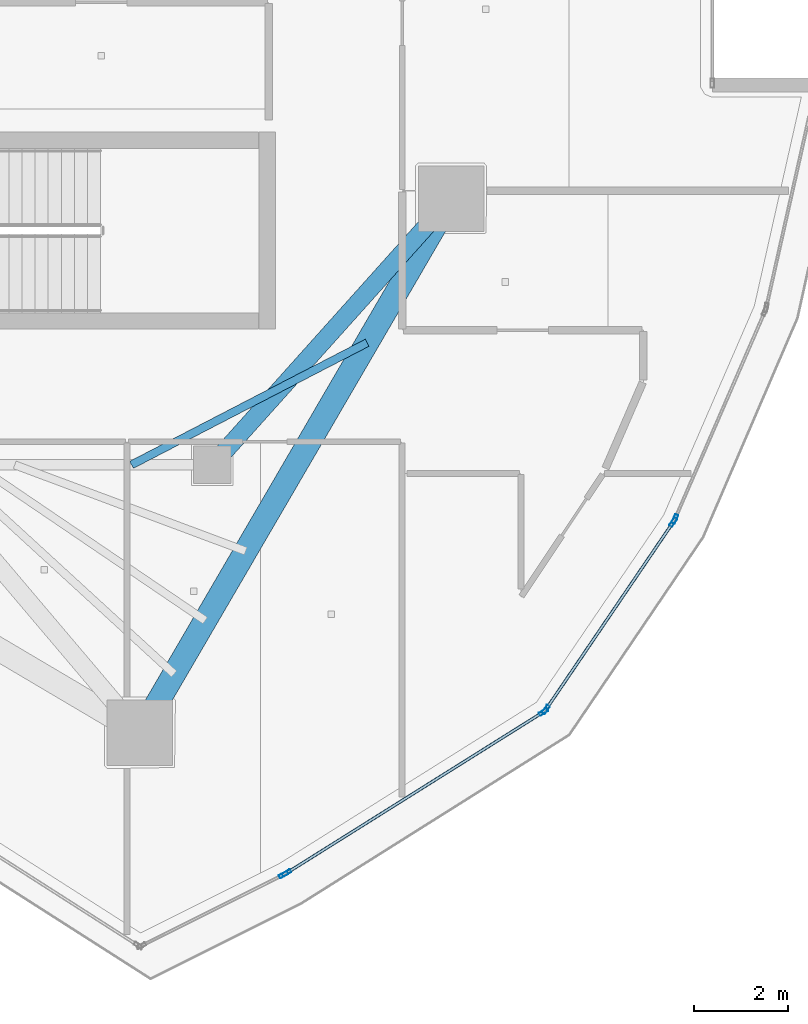
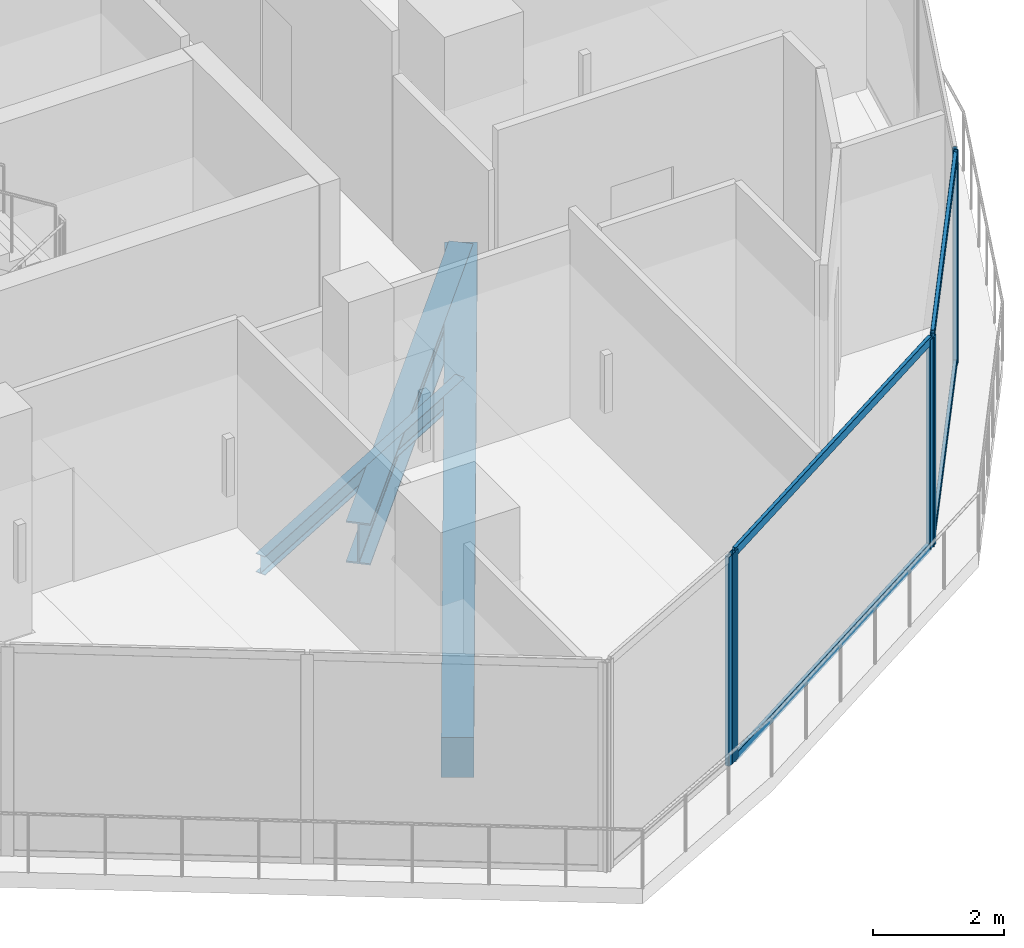
# One storey, part 7 of 23: 10 members, 3 beams, 4 elements without a shape of their own.
"""IFC4 building model written with IfcOpenShell, lengths in metres."""

from ifc_helpers import new_model, si_unit, direction, frame, origin, origin_2d, place, context, subcontext, project, spatial, rectangle, hollow_rectangle, i_section, extrude, material, layer, layer_set, material_profile, profile_set, type_object, element, aggregate, save


model = new_model("IFC4")

# Units and contexts
model_context = context("Model", 3, precision=1e-05, world=origin(), true_north=direction((0.0, 1.0)))
body_context = subcontext(model_context, "Body", "Model", "MODEL_VIEW")
ifc_project = project(units=[si_unit("LENGTHUNIT", "METRE"), si_unit("AREAUNIT", "SQUARE_METRE"), si_unit("VOLUMEUNIT", "CUBIC_METRE"), si_unit("PLANEANGLEUNIT", "RADIAN"), si_unit("MASSUNIT", "GRAM", prefix="KILO")], contexts=[model_context])

# Site, building, storey
site_placement = place(None, origin())
site = spatial("IfcSite", under=ifc_project, at=site_placement, CompositionType="ELEMENT")
building_placement = place(site_placement, origin())
building = spatial("IfcBuilding", under=site, at=building_placement, Name="Qorvath Tower", CompositionType="ELEMENT")
storey_placement = place(building_placement, frame((0.0, 0.0, 310.199951171875)))
storey = spatial("IfcBuildingStorey", under=building, at=storey_placement, Name="L72", CompositionType="ELEMENT", Elevation=310.199951171875)

# Beams
ifc_material_1 = material(Name="Steel ASTM A992 Grade 50", Category="steel")
ifc_material_profile_1 = material_profile(ifc_material_1, i_section(OverallWidth=0.381103515625, OverallDepth=0.77294921875, WebThickness=0.0166015625, FlangeThickness=0.027099609375, FilletRadius=0.01904296875, at=origin_2d()), Name="W30x173")
ifc_profile_set_1 = profile_set([ifc_material_profile_1], Name="Steel ASTM A992 Grade 50")
beam_type_1 = type_object("IfcBeamType", Name="BM-FG3", PredefinedType="BEAM", material=ifc_profile_set_1)
beam_1_placement = place(storey_placement, frame((-17.199951171875, -11.449951171875, -0.676513671875), z_axis=(0.667543184261, 0.744571082669, 0.0), x_axis=(-0.744571082669, 0.667543184261, 0.0)))
element("IfcBeam", 1, at=beam_1_placement, inside=storey, type_object=beam_type_1, Name="Radial Floor Girder CC3-MC4 L72", PredefinedType="BEAM", context=body_context, shape_type="SweptSolid", body=[
    extrude(i_section(OverallWidth=0.381103515625, OverallDepth=0.77294921875, WebThickness=0.0166015625, FlangeThickness=0.027099609375, FilletRadius=0.01904296875, at=origin_2d()), origin(), (0.0, 0.0, 1.0), 7.644775390625),
])
ifc_material_2 = material(Name="Steel ASTM A992 Grade 50", Category="steel")
ifc_material_profile_2 = material_profile(ifc_material_2, i_section(OverallWidth=0.1708984375, OverallDepth=0.35107421875, WebThickness=0.0068359375, FlangeThickness=0.009765625, FilletRadius=0.010009765625, at=origin_2d()), Name="W14x30")
ifc_profile_set_2 = profile_set([ifc_material_profile_2], Name="Steel ASTM A992 Grade 50")
beam_type_2 = type_object("IfcBeamType", Name="BM-FJ4", PredefinedType="JOIST", material=ifc_profile_set_2)
beam_2_placement = place(storey_placement, frame((-18.927978515625, -11.449951171875, -0.465576171875), z_axis=(0.887840529015, 0.460151274082, 0.0), x_axis=(-0.460151274082, 0.887840529015, 0.0)))
element("IfcBeam", 2, at=beam_2_placement, inside=storey, type_object=beam_type_2, Name="Composite Floor Joist SE2 L72", PredefinedType="JOIST", context=body_context, shape_type="SweptSolid", body=[
    extrude(i_section(OverallWidth=0.1708984375, OverallDepth=0.35107421875, WebThickness=0.0068359375, FlangeThickness=0.009765625, FilletRadius=0.010009765625, at=origin_2d()), origin(), (0.0, 0.0, 1.0), 5.670654296875),
])
ifc_material_3 = material(Name="Concrete C45/55", Category="concrete")
ifc_material_profile_3 = material_profile(ifc_material_3, rectangle(XDim=0.5, YDim=0.75, at=origin_2d()), Name="RCB 750x500")
ifc_profile_set_3 = profile_set([ifc_material_profile_3], Name="Concrete C45/55")
beam_type_3 = type_object("IfcBeamType", Name="BM-RCB3", PredefinedType="SPANDREL", material=ifc_profile_set_3)
beam_3_placement = place(storey_placement, frame((-18.75048828125, -17.175537109375, -0.6650390625), z_axis=(0.503502256692, 0.863993910572, 0.0), x_axis=(-0.863993910572, 0.503502256692, 0.0)))
element("IfcBeam", 3, at=beam_3_placement, inside=storey, type_object=beam_type_3, Name="Perimeter Loggia Frame Beam MC3-MC4 L72", PredefinedType="SPANDREL", context=body_context, shape_type="SweptSolid", body=[
    extrude(rectangle(XDim=0.5, YDim=0.75, at=origin_2d()), origin(), (0.0, 0.0, 1.0), 13.215087890625),
])

# Curtain wall, member
ifc_material_4 = material(Name="Anodised aluminium and triple low-E glass", Category="aluminium")
ifc_layer = layer(ifc_material_4, 0.179931640625)
ifc_layer_set = layer_set([ifc_layer], Name="CW-SYS-4")
curtain_wall_type = type_object("IfcCurtainWallType", Name="CW-SYS-4", PredefinedType="NOTDEFINED", material=ifc_layer_set)
curtain_wall_1_placement = place(storey_placement, origin())
curtain_wall_1 = element("IfcCurtainWall", 4, at=curtain_wall_1_placement, inside=storey, type_object=curtain_wall_type, Name="Curtain Wall CW-4 CW-T-L72-3.1", PredefinedType="NOTDEFINED")
ifc_material_5 = material(Name="Anodised aluminium 6063-T6", Category="aluminium")
ifc_material_profile_4 = material_profile(ifc_material_5, hollow_rectangle(XDim=0.074951171875, YDim=0.199951171875, WallThickness=0.00390625, InnerFilletRadius=0.00390625, OuterFilletRadius=0.008056640625, at=origin_2d()), Name="CWM 200x75")
ifc_profile_set_4 = profile_set([ifc_material_profile_4], Name="Anodised aluminium 6063-T6")
member_type_1 = type_object("IfcMemberType", Name="CWM-200", PredefinedType="MULLION", material=ifc_profile_set_4)
member_1_placement = place(storey_placement, frame((-15.677734375, -20.210205078125, 0.0), z_axis=(0.0, 0.0, 1.0), x_axis=(-0.447156015897, 0.894455978485, 0.0)))
member_1 = element("IfcMember", 5, at=member_1_placement, type_object=member_type_1, Name="CW-4 mullion 2", PredefinedType="MULLION", context=body_context, shape_type="SweptSolid", body=[
    extrude(hollow_rectangle(XDim=0.074951171875, YDim=0.199951171875, WallThickness=0.00390625, InnerFilletRadius=0.00390625, OuterFilletRadius=0.008056640625, at=origin_2d()), origin(), (0.0, 0.0, 1.0), 3.91015625),
])
aggregate(curtain_wall_1, [member_1])

# Curtain wall, members
curtain_wall_2_placement = place(storey_placement, origin())
curtain_wall_2 = element("IfcCurtainWall", 6, at=curtain_wall_2_placement, inside=storey, type_object=curtain_wall_type, Name="Curtain Wall CW-4 CW-T-L72-4.1", PredefinedType="NOTDEFINED")
member_2_placement = place(storey_placement, frame((-15.612548828125, -20.173583984375, 0.0), z_axis=(0.0, 0.0, 1.0), x_axis=(-0.531348459903, 0.847153359291, 0.0)))
member_2 = element("IfcMember", 7, at=member_2_placement, type_object=member_type_1, Name="CW-4 mullion 1", PredefinedType="MULLION", context=body_context, shape_type="SweptSolid", body=[
    extrude(hollow_rectangle(XDim=0.074951171875, YDim=0.199951171875, WallThickness=0.00390625, InnerFilletRadius=0.00390625, OuterFilletRadius=0.008056640625, at=origin_2d()), origin(), (0.0, 0.0, 1.0), 3.91015625),
])
member_3_placement = place(storey_placement, frame((-10.12646484375, -16.732421875, 0.0), z_axis=(0.0, 0.0, 1.0), x_axis=(-0.531348459903, 0.847153359291, 0.0)))
member_3 = element("IfcMember", 8, at=member_3_placement, type_object=member_type_1, Name="CW-4 mullion 2", PredefinedType="MULLION", context=body_context, shape_type="SweptSolid", body=[
    extrude(hollow_rectangle(XDim=0.074951171875, YDim=0.199951171875, WallThickness=0.00390625, InnerFilletRadius=0.00390625, OuterFilletRadius=0.008056640625, at=origin_2d()), origin(), (0.0, 0.0, 1.0), 3.91015625),
])

curtain_wall_3_placement = place(storey_placement, origin())
curtain_wall_3 = element("IfcCurtainWall", 9, at=curtain_wall_3_placement, inside=storey, type_object=curtain_wall_type, Name="Curtain Wall CW-4 CW-T-L72-5.1", PredefinedType="NOTDEFINED")
member_4_placement = place(storey_placement, frame((-10.07373046875, -16.681640625, 0.0), z_axis=(0.0, 0.0, 1.0), x_axis=(-0.827120049002, 0.562025288166, 0.0)))
member_4 = element("IfcMember", 10, at=member_4_placement, type_object=member_type_1, Name="CW-4 mullion 1", PredefinedType="MULLION", context=body_context, shape_type="SweptSolid", body=[
    extrude(hollow_rectangle(XDim=0.074951171875, YDim=0.199951171875, WallThickness=0.00390625, InnerFilletRadius=0.00390625, OuterFilletRadius=0.008056640625, at=origin_2d()), origin(), (0.0, 0.0, 1.0), 3.91015625),
])
member_5_placement = place(storey_placement, frame((-7.35107421875, -12.675048828125, 0.0), z_axis=(0.0, 0.0, 1.0), x_axis=(-0.827120049002, 0.562025288166, 0.0)))
member_5 = element("IfcMember", 11, at=member_5_placement, type_object=member_type_1, Name="CW-4 mullion 2", PredefinedType="MULLION", context=body_context, shape_type="SweptSolid", body=[
    extrude(hollow_rectangle(XDim=0.074951171875, YDim=0.199951171875, WallThickness=0.00390625, InnerFilletRadius=0.00390625, OuterFilletRadius=0.008056640625, at=origin_2d()), origin(), (0.0, 0.0, 1.0), 3.91015625),
])

# Curtain wall, member
curtain_wall_4_placement = place(storey_placement, origin())
curtain_wall_4 = element("IfcCurtainWall", 12, at=curtain_wall_4_placement, inside=storey, type_object=curtain_wall_type, Name="Curtain Wall CW-4 CW-T-L72-6.1", PredefinedType="NOTDEFINED")
member_6_placement = place(storey_placement, frame((-7.315185546875, -12.609619140625, 0.0), z_axis=(0.0, 0.0, 1.0), x_axis=(-0.917487130647, 0.397765464938, 0.0)))
member_6 = element("IfcMember", 13, at=member_6_placement, type_object=member_type_1, Name="CW-4 mullion 1", PredefinedType="MULLION", context=body_context, shape_type="SweptSolid", body=[
    extrude(hollow_rectangle(XDim=0.074951171875, YDim=0.199951171875, WallThickness=0.00390625, InnerFilletRadius=0.00390625, OuterFilletRadius=0.008056640625, at=origin_2d()), origin(), (0.0, 0.0, 1.0), 3.91015625),
])
aggregate(curtain_wall_4, [member_6])

# Member
ifc_material_6 = material(Name="Anodised aluminium 6063-T6", Category="aluminium")
ifc_material_profile_5 = material_profile(ifc_material_6, hollow_rectangle(XDim=0.06494140625, YDim=0.159912109375, WallThickness=0.00341796875, InnerFilletRadius=0.00341796875, OuterFilletRadius=0.007080078125, at=origin_2d()), Name="CWT 160x65")
ifc_profile_set_5 = profile_set([ifc_material_profile_5], Name="Anodised aluminium 6063-T6")
member_type_2 = type_object("IfcMemberType", Name="CWT-160", PredefinedType="USERDEFINED", material=ifc_profile_set_5)
member_7_placement = place(storey_placement, frame((-15.580810546875, -20.153564453125, 0.032470703125), z_axis=(0.847155126398, 0.531345642513, 0.0), x_axis=(-0.531345642513, 0.847155126398, 0.0)))
member_7 = element("IfcMember", 14, at=member_7_placement, type_object=member_type_2, Name="CW-4 transom 1.1", ObjectType="TRANSOM", PredefinedType="USERDEFINED", context=body_context, shape_type="SweptSolid", body=[
    extrude(hollow_rectangle(XDim=0.06494140625, YDim=0.159912109375, WallThickness=0.00341796875, InnerFilletRadius=0.00341796875, OuterFilletRadius=0.007080078125, at=origin_2d()), origin(), (0.0, 0.0, 1.0), 6.40087890625),
])

member_8_placement = place(storey_placement, frame((-15.580810546875, -20.153564453125, 3.877685546875), z_axis=(0.847155126398, 0.531345642513, 0.0), x_axis=(-0.531345642513, 0.847155126398, 0.0)))
member_8 = element("IfcMember", 15, at=member_8_placement, type_object=member_type_2, Name="CW-4 transom 1.2", ObjectType="TRANSOM", PredefinedType="USERDEFINED", context=body_context, shape_type="SweptSolid", body=[
    extrude(hollow_rectangle(XDim=0.06494140625, YDim=0.159912109375, WallThickness=0.00341796875, InnerFilletRadius=0.00341796875, OuterFilletRadius=0.007080078125, at=origin_2d()), origin(), (0.0, 0.0, 1.0), 6.40087890625),
])

aggregate(curtain_wall_2, [member_2, member_3, member_7, member_8])

member_9_placement = place(storey_placement, frame((-10.052490234375, -16.650634765625, 0.032470703125), z_axis=(0.562003325245, 0.827134972307, 0.0), x_axis=(-0.827134972307, 0.562003325245, 0.0)))
member_9 = element("IfcMember", 16, at=member_9_placement, type_object=member_type_2, Name="CW-4 transom 1.1", ObjectType="TRANSOM", PredefinedType="USERDEFINED", context=body_context, shape_type="SweptSolid", body=[
    extrude(hollow_rectangle(XDim=0.06494140625, YDim=0.159912109375, WallThickness=0.00341796875, InnerFilletRadius=0.00341796875, OuterFilletRadius=0.007080078125, at=origin_2d()), origin(), (0.0, 0.0, 1.0), 4.76904296875),
])

member_10_placement = place(storey_placement, frame((-10.052490234375, -16.650634765625, 3.877685546875), z_axis=(0.562003325245, 0.827134972307, 0.0), x_axis=(-0.827134972307, 0.562003325245, 0.0)))
member_10 = element("IfcMember", 17, at=member_10_placement, type_object=member_type_2, Name="CW-4 transom 1.2", ObjectType="TRANSOM", PredefinedType="USERDEFINED", context=body_context, shape_type="SweptSolid", body=[
    extrude(hollow_rectangle(XDim=0.06494140625, YDim=0.159912109375, WallThickness=0.00341796875, InnerFilletRadius=0.00341796875, OuterFilletRadius=0.007080078125, at=origin_2d()), origin(), (0.0, 0.0, 1.0), 4.76904296875),
])

aggregate(curtain_wall_3, [member_4, member_5, member_9, member_10])

save(model, "model.ifc")
